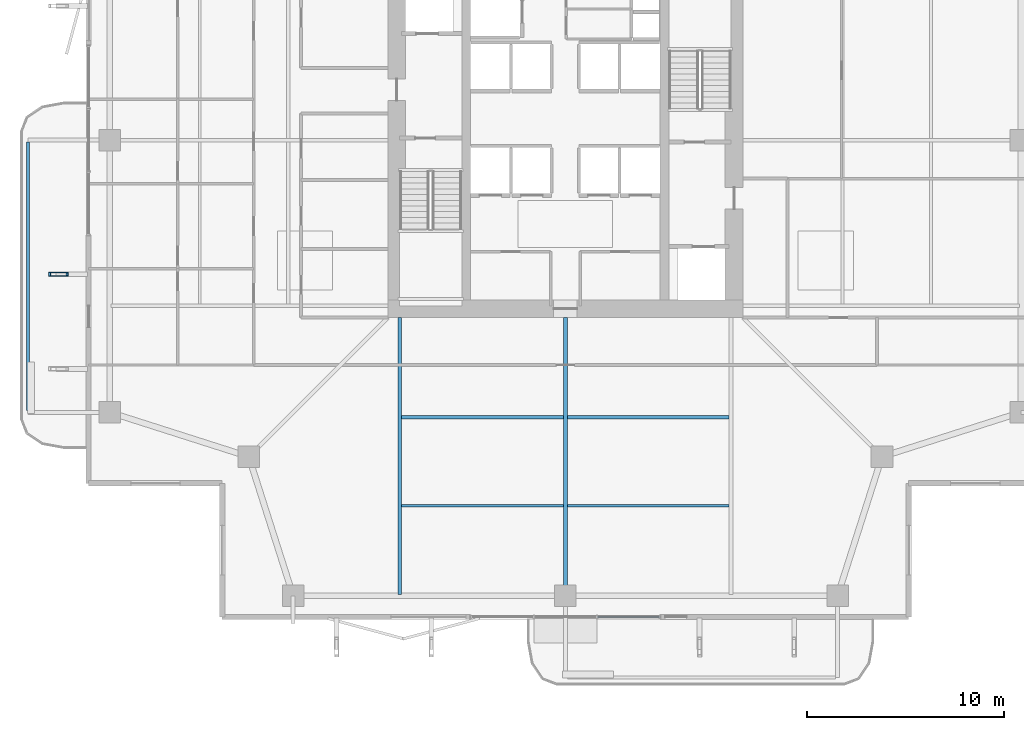
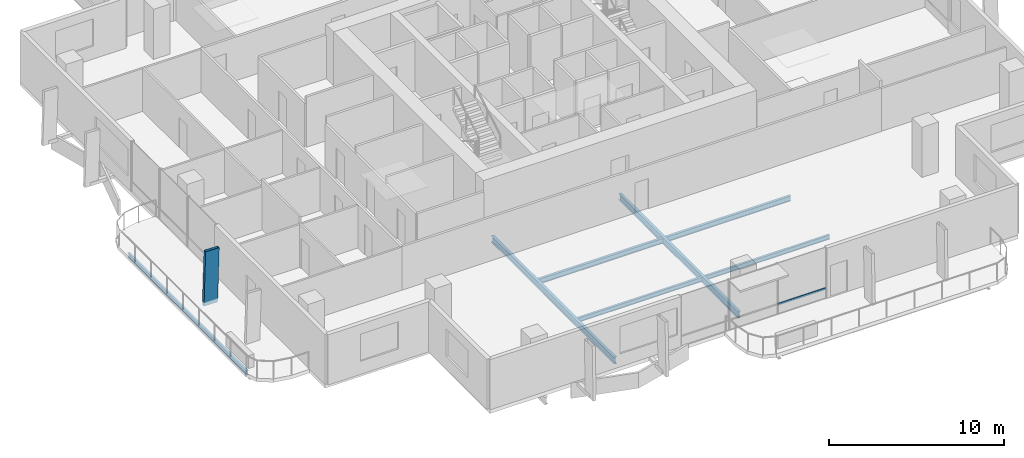
# One storey, part 3 of 25: 7 beams, 2 members, 1 element without a shape of its own.
"""IFC4 building model written with IfcOpenShell, lengths in metres."""

from ifc_helpers import new_model, si_unit, direction, frame, origin, origin_2d, place, context, subcontext, project, spatial, hollow_rectangle, i_section, extrude, material, layer, layer_set, material_profile, profile_set, type_object, element, aggregate, save


model = new_model("IFC4")

# Units and contexts
model_context = context("Model", 3, precision=1e-05, world=origin(), true_north=direction((0.0, 1.0)))
body_context = subcontext(model_context, "Body", "Model", "MODEL_VIEW")
ifc_project = project(units=[si_unit("LENGTHUNIT", "METRE"), si_unit("AREAUNIT", "SQUARE_METRE"), si_unit("VOLUMEUNIT", "CUBIC_METRE"), si_unit("PLANEANGLEUNIT", "RADIAN"), si_unit("MASSUNIT", "GRAM", prefix="KILO")], contexts=[model_context])

# Site, building, storey
site_placement = place(None, origin())
site = spatial("IfcSite", under=ifc_project, at=site_placement, CompositionType="ELEMENT")
building_placement = place(site_placement, origin())
building = spatial("IfcBuilding", under=site, at=building_placement, Name="Belovzor Exchange Tower", CompositionType="ELEMENT")
storey_placement = place(building_placement, frame((0.0, 0.0, 153.300048828125)))
storey = spatial("IfcBuildingStorey", under=building, at=storey_placement, Name="L37", CompositionType="ELEMENT", Elevation=153.300048828125)

# Beams
ifc_material_1 = material(Name="Steel S355", Category="steel")
ifc_material_profile_1 = material_profile(ifc_material_1, i_section(OverallWidth=0.14990234375, OverallDepth=0.300048828125, WebThickness=0.007080078125, FlangeThickness=0.0107421875, at=origin_2d()))
ifc_profile_set_1 = profile_set([ifc_material_profile_1], Name="Steel S355")
beam_type_1 = type_object("IfcBeamType", Name="Planted Balcony Fascia Edge Beam IPE 300", PredefinedType="BEAM", material=ifc_profile_set_1)
beam_1_placement = place(storey_placement, frame((1.547119140625, 28.699951171875, -0.405029296875), z_axis=(0.0, -1.0, 0.0), x_axis=(1.0, 0.0, 0.0)))
element("IfcBeam", 1, at=beam_1_placement, inside=storey, type_object=beam_type_1, Name="BC-300 Planted Balcony Fascia Edge Beam IPE 300", PredefinedType="BEAM", context=body_context, shape_type="SweptSolid", body=[
    extrude(i_section(OverallWidth=0.14990234375, OverallDepth=0.300048828125, WebThickness=0.007080078125, FlangeThickness=0.0107421875, at=origin_2d()), origin(), (0.0, 0.0, 1.0), 13.599853515625),
])
ifc_material_2 = material(Name="Steel S355", Category="steel")
ifc_material_profile_2 = material_profile(ifc_material_2, i_section(OverallWidth=0.169921875, OverallDepth=0.360107421875, WebThickness=0.008056640625, FlangeThickness=0.0126953125, at=origin_2d()))
ifc_profile_set_2 = profile_set([ifc_material_profile_2], Name="Steel S355")
beam_type_2 = type_object("IfcBeamType", Name="Secondary Infill Floor Joist IPE 360", PredefinedType="BEAM", material=ifc_profile_set_2)
for number, where, z_axis, x_axis, name in (
    (2, (20.4951171875, 14.7509765625, -0.43505859375), (1.0, 0.0, 0.0), (0.0, 1.0, 0.0), "FJ-360 Secondary Infill Floor Joist IPE 360"),
    (3, (28.89501953125, 14.7509765625, -0.43505859375), (1.0, 0.0, 0.0), (0.0, 1.0, 0.0), "FJ-360 Secondary Infill Floor Joist IPE 360"),
):
    element("IfcBeam", number, at=place(storey_placement, frame(where, z_axis=z_axis, x_axis=x_axis)), inside=storey, type_object=beam_type_2, Name=name, PredefinedType="BEAM", context=body_context, shape_type="SweptSolid", body=[
        extrude(i_section(OverallWidth=0.169921875, OverallDepth=0.360107421875, WebThickness=0.008056640625, FlangeThickness=0.0126953125, at=origin_2d()), origin(), (0.0, 0.0, 1.0), 8.2099609375),
    ])
ifc_material_3 = material(Name="Steel S355", Category="steel")
ifc_material_profile_3 = material_profile(ifc_material_3, i_section(OverallWidth=0.14990234375, OverallDepth=0.300048828125, WebThickness=0.007080078125, FlangeThickness=0.0107421875, at=origin_2d()))
ifc_profile_set_3 = profile_set([ifc_material_profile_3], Name="Steel S355")
beam_type_3 = type_object("IfcBeamType", Name="Secondary Trim Floor Joist IPE 300", PredefinedType="BEAM", material=ifc_profile_set_3)
for number, where, z_axis, x_axis, name in (
    (4, (20.4951171875, 10.262939453125, -0.405029296875), (1.0, 0.0, 0.0), (0.0, 1.0, 0.0), "FJ-300 Secondary Trim Floor Joist IPE 300"),
    (5, (28.89501953125, 10.262939453125, -0.405029296875), (1.0, 0.0, 0.0), (0.0, 1.0, 0.0), "FJ-300 Secondary Trim Floor Joist IPE 300"),
):
    element("IfcBeam", number, at=place(storey_placement, frame(where, z_axis=z_axis, x_axis=x_axis)), inside=storey, type_object=beam_type_3, Name=name, PredefinedType="BEAM", context=body_context, shape_type="SweptSolid", body=[
        extrude(i_section(OverallWidth=0.14990234375, OverallDepth=0.300048828125, WebThickness=0.007080078125, FlangeThickness=0.0107421875, at=origin_2d()), origin(), (0.0, 0.0, 1.0), 8.2099609375),
    ])

# Member
ifc_material_4 = material(Name="Extruded Architectural Terracotta on Steel S355 Carrier", Category="masonry")
ifc_material_profile_4 = material_profile(ifc_material_4, hollow_rectangle(XDim=0.199951171875, YDim=0.89990234375, WallThickness=0.011962890625, at=origin_2d()))
ifc_profile_set_4 = profile_set([ifc_material_profile_4], Name="Extruded Architectural Terracotta on Steel S355 Carrier")
member_type_1 = type_object("IfcMemberType", Name="Sweeping Terracotta Baguette Fin Assembly 1250", PredefinedType="USERDEFINED", material=ifc_profile_set_4)
member_1_placement = place(storey_placement, frame((3.049072265625, 22.0, -0.255126953125), z_axis=(0.028764134908, 0.0, 0.999586226667), x_axis=(0.0, 1.0, 0.0)))
element("IfcMember", 6, at=member_1_placement, inside=storey, type_object=member_type_1, Name="FIN-TC125 Terracotta Facade Fin L37 W2", ObjectType="FIN", PredefinedType="USERDEFINED", context=body_context, shape_type="SweptSolid", body=[
    extrude(hollow_rectangle(XDim=0.199951171875, YDim=0.89990234375, WallThickness=0.011962890625, at=origin_2d()), origin(), (0.0, 0.0, 1.0), 3.75146484375),
])

# Curtain wall, member
ifc_material_5 = material(Name="Anodised Aluminium Framing", Category="aluminium")
ifc_layer = layer(ifc_material_5, 0.179931640625)
ifc_layer_set = layer_set([ifc_layer], Name="Anodised Aluminium Framing")
curtain_wall_type = type_object("IfcCurtainWallType", Name="Recessed Loggia Low-Iron Triple-Glazed Curtain Wall", PredefinedType="NOTDEFINED", material=ifc_layer_set)
curtain_wall_placement = place(storey_placement, origin())
curtain_wall = element("IfcCurtainWall", 7, at=curtain_wall_placement, inside=storey, type_object=curtain_wall_type, Name="CW3 Recessed Loggia Low-Iron Triple-Glazed Curtain Wall L37", PredefinedType="NOTDEFINED")
ifc_material_6 = material(Name="Steel S355", Category="steel")
ifc_material_profile_5 = material_profile(ifc_material_6, hollow_rectangle(XDim=0.06005859375, YDim=0.14990234375, WallThickness=0.00390625, at=origin_2d()))
ifc_profile_set_5 = profile_set([ifc_material_profile_5], Name="Steel S355")
member_type_2 = type_object("IfcMemberType", Name="Thermally Broken Curtain Wall Transom 150x60", PredefinedType="USERDEFINED", material=ifc_profile_set_5)
member_2_placement = place(storey_placement, frame((33.592041015625, 4.6298828125, 0.62890625), z_axis=(-1.0, 0.0, 0.0), x_axis=(0.0, -1.0, 0.0)))
member_2 = element("IfcMember", 8, at=member_2_placement, type_object=member_type_2, Name="CW-T150 Curtain Wall Transom 1", ObjectType="TRANSOM", PredefinedType="USERDEFINED", context=body_context, shape_type="SweptSolid", body=[
    extrude(hollow_rectangle(XDim=0.06005859375, YDim=0.14990234375, WallThickness=0.00390625, at=origin_2d()), origin(), (0.0, 0.0, 1.0), 3.18408203125),
])
aggregate(curtain_wall, [member_2])

# Beams
ifc_material_7 = material(Name="Steel S355", Category="steel")
ifc_material_profile_6 = material_profile(ifc_material_7, i_section(OverallWidth=0.18994140625, OverallDepth=0.449951171875, WebThickness=0.009521484375, FlangeThickness=0.0146484375, at=origin_2d()))
ifc_profile_set_6 = profile_set([ifc_material_profile_6], Name="Steel S355")
beam_type_4 = type_object("IfcBeamType", Name="Zone 2-4 Radial Composite Floor Beam IPE 450", PredefinedType="BEAM", material=ifc_profile_set_6)
beam_2_placement = place(storey_placement, frame((20.39990234375, 19.800048828125, -0.47998046875), z_axis=(0.0, -1.0, 0.0), x_axis=(1.0, 0.0, 0.0)))
element("IfcBeam", 9, at=beam_2_placement, inside=storey, type_object=beam_type_4, Name="FB-450 Zone 2-4 Radial Composite Floor Beam IPE 450", PredefinedType="BEAM", context=body_context, shape_type="SweptSolid", body=[
    extrude(i_section(OverallWidth=0.18994140625, OverallDepth=0.449951171875, WebThickness=0.009521484375, FlangeThickness=0.0146484375, at=origin_2d()), origin(), (0.0, 0.0, 1.0), 14.025146484375),
])
beam_3_placement = place(storey_placement, frame((28.800048828125, 19.800048828125, -0.47998046875), z_axis=(0.0, -1.0, 0.0), x_axis=(1.0, 0.0, 0.0)))
element("IfcBeam", 10, at=beam_3_placement, inside=storey, type_object=beam_type_4, Name="FB-450 Zone 2-4 Radial Composite Floor Beam IPE 450", PredefinedType="BEAM", context=body_context, shape_type="SweptSolid", body=[
    extrude(i_section(OverallWidth=0.18994140625, OverallDepth=0.449951171875, WebThickness=0.009521484375, FlangeThickness=0.0146484375, at=origin_2d()), origin(), (0.0, 0.0, 1.0), 13.615966796875),
])

save(model, "model.ifc")
